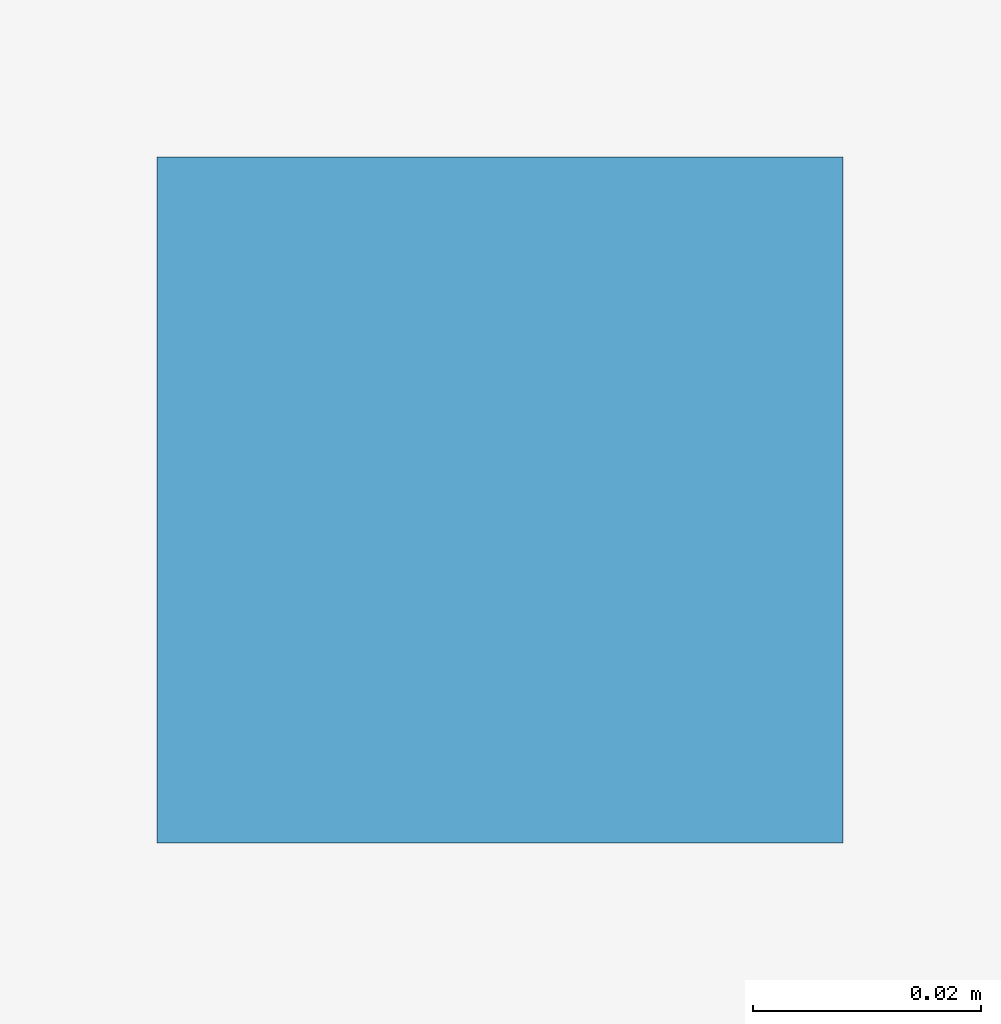
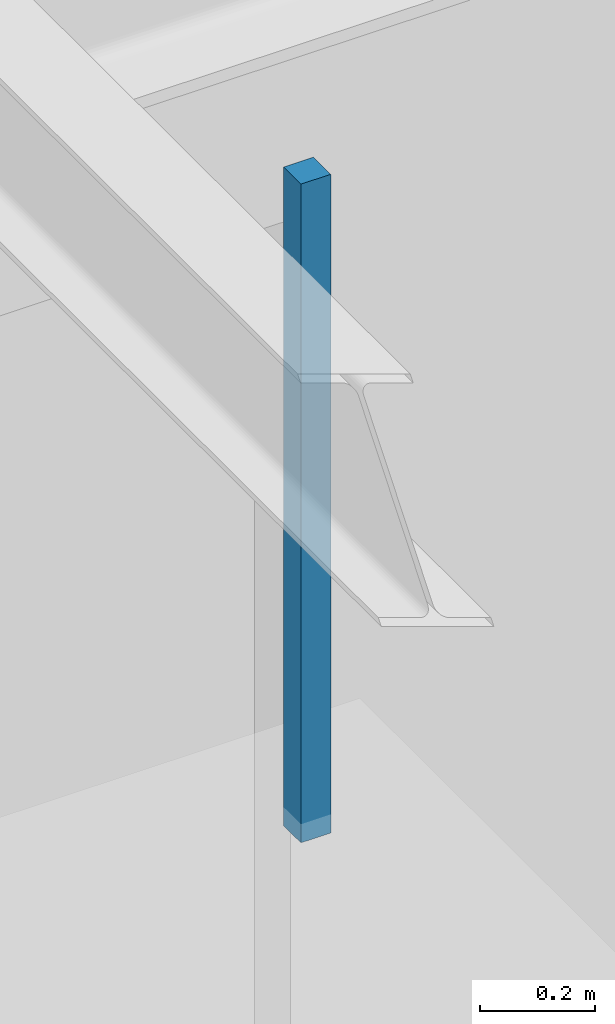
# One storey, part 102 of 122: 1 discrete accessory.
"""IFC4 building model written with IfcOpenShell, lengths in metres."""

from ifc_helpers import new_model, si_unit, direction, frame, origin, origin_2d, place, context, subcontext, project, spatial, rectangle, extrude, material, type_object, element, save


model = new_model("IFC4")

# Units and contexts
model_context = context("Model", 3, precision=1e-05, world=origin(), true_north=direction((0.0, 1.0)))
body_context = subcontext(model_context, "Body", "Model", "MODEL_VIEW")
ifc_project = project(units=[si_unit("LENGTHUNIT", "METRE"), si_unit("AREAUNIT", "SQUARE_METRE"), si_unit("VOLUMEUNIT", "CUBIC_METRE"), si_unit("PLANEANGLEUNIT", "RADIAN"), si_unit("MASSUNIT", "GRAM", prefix="KILO")], contexts=[model_context])

# Site, building, storey
site_placement = place(None, origin())
site = spatial("IfcSite", under=ifc_project, at=site_placement, CompositionType="ELEMENT")
building_placement = place(site_placement, origin())
building = spatial("IfcBuilding", under=site, at=building_placement, Name="Sundkrona Museum", CompositionType="ELEMENT")
storey_placement = place(building_placement, frame((0.0, 0.0, 5.39990234375)))
storey = spatial("IfcBuildingStorey", under=building, at=storey_placement, Name="L01", CompositionType="ELEMENT", Elevation=5.39990234375)

# Discrete accessory
ifc_material = material(Name="Stainless Steel EN 1.4404 Cleat", Category="steel")
discrete_accessory_type = type_object("IfcDiscreteAccessoryType", Name="BRK-FIN-01", PredefinedType="BRACKET", material=ifc_material)
discrete_accessory_placement = place(storey_placement, frame((165.550048828125, 30.949951171875, 2.550048828125), z_axis=(0.0, 0.0, 1.0), x_axis=(1.0, 0.0, 0.0)))
element("IfcDiscreteAccessory", 1, at=discrete_accessory_placement, inside=storey, type_object=discrete_accessory_type, Name="L01 Amber and Fossil Mezzanine Gallery Ceiling Hanger 3", PredefinedType="BRACKET", context=body_context, shape_type="SweptSolid", body=[
    extrude(rectangle(XDim=0.06005859375, YDim=0.06005859375, at=origin_2d()), origin(), (0.0, 0.0, 1.0), 1.39990234375),
])

save(model, "model.ifc")
